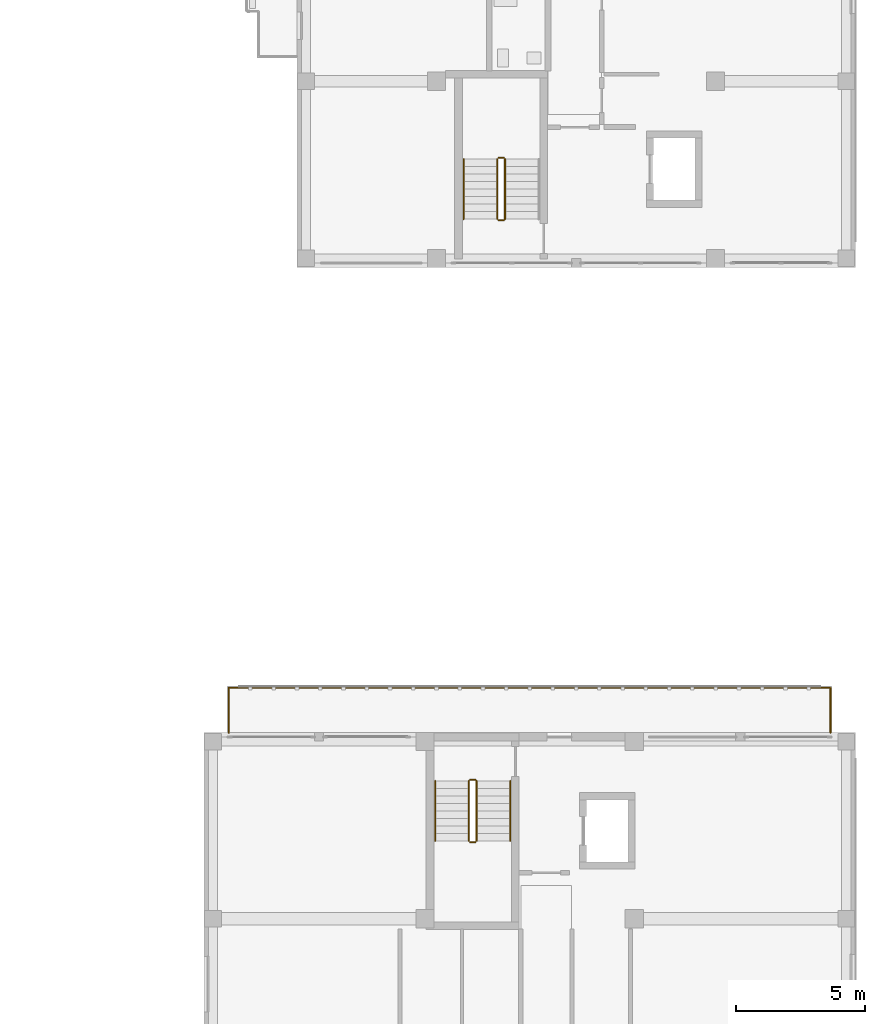
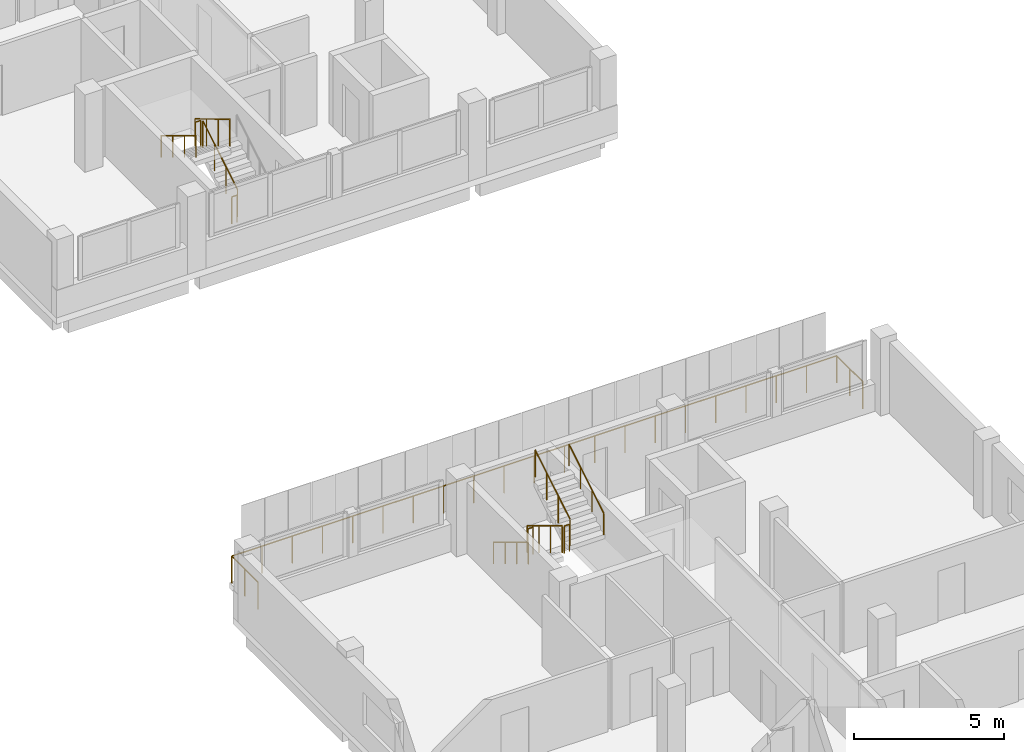
# One storey, part 52 of 56: 12 railings.
"""IFC4 building model written with IfcOpenShell, lengths in metres."""

from ifc_helpers import new_model, si_unit, derived_unit, direction, frame, origin, origin_2d, place, context, subcontext, project, spatial, circle, extrude, material, type_object, element, save


model = new_model("IFC4")

# Units and contexts
model_context = context("Model", 3, precision=1e-05, world=origin(), true_north=direction((0.0, 1.0)))
body_context = subcontext(model_context, "Body", "Model", "MODEL_VIEW")
ifc_project = project(units=[si_unit("LENGTHUNIT", "METRE"), si_unit("AREAUNIT", "SQUARE_METRE"), si_unit("VOLUMEUNIT", "CUBIC_METRE"), si_unit("PLANEANGLEUNIT", "RADIAN"), si_unit("MASSUNIT", "GRAM", prefix="KILO"), derived_unit("THERMALTRANSMITTANCEUNIT", [(si_unit("MASSUNIT", "GRAM", prefix="KILO"), 1), (si_unit("TIMEUNIT", "SECOND"), -3), (si_unit("THERMODYNAMICTEMPERATUREUNIT", "KELVIN"), -1)])], contexts=[model_context])

# Site, building, storey
site_placement = place(None, origin())
site = spatial("IfcSite", under=ifc_project, at=site_placement, CompositionType="ELEMENT")
building_placement = place(site_placement, origin())
building = spatial("IfcBuilding", under=site, at=building_placement, Name="Ochrekiln Boulevard Commons", CompositionType="ELEMENT")
storey_placement = place(building_placement, frame((0.0, 0.0, 12.074951171875)))
storey = spatial("IfcBuildingStorey", under=building, at=storey_placement, Name="L03", CompositionType="ELEMENT", Elevation=12.074951171875)

# Railings
ifc_material_1 = material(Name="Bronze-anodized extruded aluminium 6063-T6", Category="aluminium")
railing_type_1 = type_object("IfcRailingType", Name="RLG-BAL-1120", PredefinedType="BALUSTRADE", material=ifc_material_1)
railing_1_placement = place(storey_placement, frame((148.56005859375, 50.39990234375, 0.0)))
element("IfcRailing", 1, at=railing_1_placement, inside=storey, type_object=railing_type_1, Name="Block C L03 Screened Balcony Guard", PredefinedType="BALUSTRADE", context=body_context, shape_type="SweptSolid", body=[
    extrude(circle(Radius=0.02392578125, at=origin_2d()), frame((0.0, 0.0, 1.09619140625), z_axis=(0.0, 1.0, 0.0), x_axis=(-1.0, 0.0, 0.0)), (0.0, 0.0, 1.0), 1.739990234375),
    extrude(circle(Radius=0.02392578125, at=origin_2d()), frame((0.0, 1.739990234375, 1.09619140625), z_axis=(1.0, 0.0, 0.0), x_axis=(0.0, 1.0, 0.0)), (0.0, 0.0, 1.0), 23.280029296875),
    extrude(circle(Radius=0.02392578125, at=origin_2d()), frame((23.280029296875, 1.739990234375, 1.09619140625), z_axis=(0.0, -1.0, 0.0), x_axis=(1.0, 0.0, 0.0)), (0.0, 0.0, 1.0), 1.739990234375),
    extrude(circle(Radius=0.02099609375, at=origin_2d()), origin(), (0.0, 0.0, 1.0), 1.072021484375),
    extrude(circle(Radius=0.02099609375, at=origin_2d()), frame((0.0, 0.8701171875, 0.0)), (0.0, 0.0, 1.0), 1.072021484375),
    extrude(circle(Radius=0.02099609375, at=origin_2d()), frame((0.0, 1.739990234375, 0.0)), (0.0, 0.0, 1.0), 1.072021484375),
    extrude(circle(Radius=0.02099609375, at=origin_2d()), frame((1.1640625, 1.739990234375, 0.0)), (0.0, 0.0, 1.0), 1.072021484375),
    extrude(circle(Radius=0.02099609375, at=origin_2d()), frame((2.328125, 1.739990234375, 0.0)), (0.0, 0.0, 1.0), 1.072021484375),
    extrude(circle(Radius=0.02099609375, at=origin_2d()), frame((3.491943359375, 1.739990234375, 0.0)), (0.0, 0.0, 1.0), 1.072021484375),
    extrude(circle(Radius=0.02099609375, at=origin_2d()), frame((4.656005859375, 1.739990234375, 0.0)), (0.0, 0.0, 1.0), 1.072021484375),
    extrude(circle(Radius=0.02099609375, at=origin_2d()), frame((5.820068359375, 1.739990234375, 0.0)), (0.0, 0.0, 1.0), 1.072021484375),
    extrude(circle(Radius=0.02099609375, at=origin_2d()), frame((6.98388671875, 1.739990234375, 0.0)), (0.0, 0.0, 1.0), 1.072021484375),
    extrude(circle(Radius=0.02099609375, at=origin_2d()), frame((8.14794921875, 1.739990234375, 0.0)), (0.0, 0.0, 1.0), 1.072021484375),
    extrude(circle(Radius=0.02099609375, at=origin_2d()), frame((9.31201171875, 1.739990234375, 0.0)), (0.0, 0.0, 1.0), 1.072021484375),
    extrude(circle(Radius=0.02099609375, at=origin_2d()), frame((10.47607421875, 1.739990234375, 0.0)), (0.0, 0.0, 1.0), 1.072021484375),
    extrude(circle(Radius=0.02099609375, at=origin_2d()), frame((11.64013671875, 1.739990234375, 0.0)), (0.0, 0.0, 1.0), 1.072021484375),
    extrude(circle(Radius=0.02099609375, at=origin_2d()), frame((12.803955078125, 1.739990234375, 0.0)), (0.0, 0.0, 1.0), 1.072021484375),
    extrude(circle(Radius=0.02099609375, at=origin_2d()), frame((13.968017578125, 1.739990234375, 0.0)), (0.0, 0.0, 1.0), 1.072021484375),
    extrude(circle(Radius=0.02099609375, at=origin_2d()), frame((15.132080078125, 1.739990234375, 0.0)), (0.0, 0.0, 1.0), 1.072021484375),
    extrude(circle(Radius=0.02099609375, at=origin_2d()), frame((16.2958984375, 1.739990234375, 0.0)), (0.0, 0.0, 1.0), 1.072021484375),
    extrude(circle(Radius=0.02099609375, at=origin_2d()), frame((17.4599609375, 1.739990234375, 0.0)), (0.0, 0.0, 1.0), 1.072021484375),
    extrude(circle(Radius=0.02099609375, at=origin_2d()), frame((18.6240234375, 1.739990234375, 0.0)), (0.0, 0.0, 1.0), 1.072021484375),
    extrude(circle(Radius=0.02099609375, at=origin_2d()), frame((19.7880859375, 1.739990234375, 0.0)), (0.0, 0.0, 1.0), 1.072021484375),
    extrude(circle(Radius=0.02099609375, at=origin_2d()), frame((20.9521484375, 1.739990234375, 0.0)), (0.0, 0.0, 1.0), 1.072021484375),
    extrude(circle(Radius=0.02099609375, at=origin_2d()), frame((22.115966796875, 1.739990234375, 0.0)), (0.0, 0.0, 1.0), 1.072021484375),
    extrude(circle(Radius=0.02099609375, at=origin_2d()), frame((23.280029296875, 1.739990234375, 0.0)), (0.0, 0.0, 1.0), 1.072021484375),
    extrude(circle(Radius=0.02099609375, at=origin_2d()), frame((23.280029296875, 0.8701171875, 0.0)), (0.0, 0.0, 1.0), 1.072021484375),
    extrude(circle(Radius=0.02099609375, at=origin_2d()), frame((23.280029296875, 0.0, 0.0)), (0.0, 0.0, 1.0), 1.072021484375),
])
ifc_material_2 = material(Name="Brushed stainless steel 316 tubular railing", Category="steel")
railing_type_2 = type_object("IfcRailingType", Name="RLG-HDR-900", PredefinedType="HANDRAIL", material=ifc_material_2)
railing_2_placement = place(storey_placement, frame((157.64990234375, 72.590087890625, 1.75)))
element("IfcRailing", 2, at=railing_2_placement, inside=storey, type_object=railing_type_2, Name="L03 ST-B1 stair handrail 2", PredefinedType="HANDRAIL", context=body_context, shape_type="SweptSolid", body=[
    extrude(circle(Radius=0.02392578125, at=origin_2d()), frame((0.0, 0.0, 0.8759765625), z_axis=(0.0, -0.856170481923, 0.516693435108), x_axis=(1.0, 0.0, 0.0)), (0.0, 0.0, 1.0), 2.709716796875),
    extrude(circle(Radius=0.02099609375, at=origin_2d()), origin(), (0.0, 0.0, 1.0), 0.851806640625),
    extrude(circle(Radius=0.02099609375, at=origin_2d()), frame((0.0, -0.7734375, 0.466796875)), (0.0, 0.0, 1.0), 0.851806640625),
    extrude(circle(Radius=0.02099609375, at=origin_2d()), frame((0.0, -1.546630859375, 0.933349609375)), (0.0, 0.0, 1.0), 0.851806640625),
    extrude(circle(Radius=0.02099609375, at=origin_2d()), frame((0.0, -2.320068359375, 1.400146484375)), (0.0, 0.0, 1.0), 0.851806640625),
])
railing_3_placement = place(storey_placement, frame((156.550048828125, 48.530029296875, 0.175048828125)))
element("IfcRailing", 3, at=railing_3_placement, inside=storey, type_object=railing_type_2, Name="L03 ST-C2 stair handrail 1", PredefinedType="HANDRAIL", context=body_context, shape_type="SweptSolid", body=[
    extrude(circle(Radius=0.02392578125, at=origin_2d()), frame((0.0, 0.0, 0.8759765625), z_axis=(0.0, -0.85621033714, 0.516627388526), x_axis=(1.0, 0.0, 0.0)), (0.0, 0.0, 1.0), 2.709716796875),
    extrude(circle(Radius=0.02099609375, at=origin_2d()), origin(), (0.0, 0.0, 1.0), 0.851806640625),
    extrude(circle(Radius=0.02099609375, at=origin_2d()), frame((0.0, -0.7734375, 0.466552734375)), (0.0, 0.0, 1.0), 0.851806640625),
    extrude(circle(Radius=0.02099609375, at=origin_2d()), frame((0.0, -1.546630859375, 0.933349609375)), (0.0, 0.0, 1.0), 0.851806640625),
    extrude(circle(Radius=0.02099609375, at=origin_2d()), frame((0.0, -2.320068359375, 1.39990234375)), (0.0, 0.0, 1.0), 0.851806640625),
])
railing_4_placement = place(storey_placement, frame((159.449951171875, 46.2099609375, 1.75)))
element("IfcRailing", 4, at=railing_4_placement, inside=storey, type_object=railing_type_2, Name="L03 ST-C2 stair handrail 2", PredefinedType="HANDRAIL", context=body_context, shape_type="SweptSolid", body=[
    extrude(circle(Radius=0.02392578125, at=origin_2d()), frame((0.0, 0.0, 0.8759765625), z_axis=(0.0, 0.856170481923, 0.516693435108), x_axis=(-1.0, 0.0, 0.0)), (0.0, 0.0, 1.0), 2.709716796875),
    extrude(circle(Radius=0.02099609375, at=origin_2d()), origin(), (0.0, 0.0, 1.0), 0.851806640625),
    extrude(circle(Radius=0.02099609375, at=origin_2d()), frame((0.0, 0.7734375, 0.466796875)), (0.0, 0.0, 1.0), 0.851806640625),
    extrude(circle(Radius=0.02099609375, at=origin_2d()), frame((0.0, 1.546630859375, 0.933349609375)), (0.0, 0.0, 1.0), 0.851806640625),
    extrude(circle(Radius=0.02099609375, at=origin_2d()), frame((0.0, 2.320068359375, 1.400146484375)), (0.0, 0.0, 1.0), 0.851806640625),
])
railing_type_3 = type_object("IfcRailingType", Name="RLG-STR-1120", PredefinedType="BALUSTRADE", material=ifc_material_2)
railing_5_placement = place(storey_placement, frame((159.25, 70.27001953125, 0.175048828125)))
element("IfcRailing", 5, at=railing_5_placement, inside=storey, type_object=railing_type_3, Name="L03 ST-B1 stair guard 1", PredefinedType="BALUSTRADE", context=body_context, shape_type="SweptSolid", body=[
    extrude(circle(Radius=0.02392578125, at=origin_2d()), frame((0.0, 0.0, 1.09619140625), z_axis=(0.0, 0.85621033714, 0.516627388526), x_axis=(-1.0, 0.0, 0.0)), (0.0, 0.0, 1.0), 2.709716796875),
    extrude(circle(Radius=0.02099609375, at=origin_2d()), origin(), (0.0, 0.0, 1.0), 1.072021484375),
    extrude(circle(Radius=0.02099609375, at=origin_2d()), frame((0.0, 0.7734375, 0.466552734375)), (0.0, 0.0, 1.0), 1.072021484375),
    extrude(circle(Radius=0.02099609375, at=origin_2d()), frame((0.0, 1.546630859375, 0.933349609375)), (0.0, 0.0, 1.0), 1.072021484375),
    extrude(circle(Radius=0.02099609375, at=origin_2d()), frame((0.0, 2.320068359375, 1.39990234375)), (0.0, 0.0, 1.0), 1.072021484375),
])
railing_6_placement = place(storey_placement, frame((159.199951171875, 72.639892578125, 1.574951171875)))
element("IfcRailing", 6, at=railing_6_placement, inside=storey, type_object=railing_type_3, Name="L03 ST-B1 stair guard 2", PredefinedType="BALUSTRADE", context=body_context, shape_type="SweptSolid", body=[
    extrude(circle(Radius=0.02392578125, at=origin_2d()), frame((0.0, 0.0, 1.09619140625), z_axis=(-1.0, 0.0, 0.0), x_axis=(0.0, -1.0, 0.0)), (0.0, 0.0, 1.0), 0.199951171875),
    extrude(circle(Radius=0.02099609375, at=origin_2d()), origin(), (0.0, 0.0, 1.0), 1.072021484375),
    extrude(circle(Radius=0.02099609375, at=origin_2d()), frame((-0.199951171875, 0.0, 0.0)), (0.0, 0.0, 1.0), 1.072021484375),
])
railing_7_placement = place(storey_placement, frame((158.949951171875, 72.590087890625, 1.75)))
element("IfcRailing", 7, at=railing_7_placement, inside=storey, type_object=railing_type_3, Name="L03 ST-B1 stair guard 3", PredefinedType="BALUSTRADE", context=body_context, shape_type="SweptSolid", body=[
    extrude(circle(Radius=0.02392578125, at=origin_2d()), frame((0.0, 0.0, 1.09619140625), z_axis=(0.0, -0.856170481923, 0.516693435108), x_axis=(1.0, 0.0, 0.0)), (0.0, 0.0, 1.0), 2.709716796875),
    extrude(circle(Radius=0.02099609375, at=origin_2d()), origin(), (0.0, 0.0, 1.0), 1.072021484375),
    extrude(circle(Radius=0.02099609375, at=origin_2d()), frame((0.0, -0.7734375, 0.466796875)), (0.0, 0.0, 1.0), 1.072021484375),
    extrude(circle(Radius=0.02099609375, at=origin_2d()), frame((0.0, -1.546630859375, 0.933349609375)), (0.0, 0.0, 1.0), 1.072021484375),
    extrude(circle(Radius=0.02099609375, at=origin_2d()), frame((0.0, -2.320068359375, 1.400146484375)), (0.0, 0.0, 1.0), 1.072021484375),
])
railing_8_placement = place(storey_placement, frame((159.199951171875, 70.219970703125, 0.0)))
element("IfcRailing", 8, at=railing_8_placement, inside=storey, type_object=railing_type_3, Name="L03 ST-B1 stair guard 4", PredefinedType="BALUSTRADE", context=body_context, shape_type="SweptSolid", body=[
    extrude(circle(Radius=0.02392578125, at=origin_2d()), frame((0.0, 0.0, 1.09619140625), z_axis=(-1.0, 0.0, 0.0), x_axis=(0.0, -1.0, 0.0)), (0.0, 0.0, 1.0), 0.199951171875),
    extrude(circle(Radius=0.02099609375, at=origin_2d()), origin(), (0.0, 0.0, 1.0), 1.072021484375),
    extrude(circle(Radius=0.02099609375, at=origin_2d()), frame((-0.199951171875, 0.0, 0.0)), (0.0, 0.0, 1.0), 1.072021484375),
])
railing_9_placement = place(storey_placement, frame((157.85009765625, 48.530029296875, 0.175048828125)))
element("IfcRailing", 9, at=railing_9_placement, inside=storey, type_object=railing_type_3, Name="L03 ST-C2 stair guard 1", PredefinedType="BALUSTRADE", context=body_context, shape_type="SweptSolid", body=[
    extrude(circle(Radius=0.02392578125, at=origin_2d()), frame((0.0, 0.0, 1.09619140625), z_axis=(0.0, -0.85621033714, 0.516627388526), x_axis=(1.0, 0.0, 0.0)), (0.0, 0.0, 1.0), 2.709716796875),
    extrude(circle(Radius=0.02099609375, at=origin_2d()), origin(), (0.0, 0.0, 1.0), 1.072021484375),
    extrude(circle(Radius=0.02099609375, at=origin_2d()), frame((0.0, -0.7734375, 0.466552734375)), (0.0, 0.0, 1.0), 1.072021484375),
    extrude(circle(Radius=0.02099609375, at=origin_2d()), frame((0.0, -1.546630859375, 0.933349609375)), (0.0, 0.0, 1.0), 1.072021484375),
    extrude(circle(Radius=0.02099609375, at=origin_2d()), frame((0.0, -2.320068359375, 1.39990234375)), (0.0, 0.0, 1.0), 1.072021484375),
])
railing_10_placement = place(storey_placement, frame((157.89990234375, 46.159912109375, 1.574951171875)))
element("IfcRailing", 10, at=railing_10_placement, inside=storey, type_object=railing_type_3, Name="L03 ST-C2 stair guard 2", PredefinedType="BALUSTRADE", context=body_context, shape_type="SweptSolid", body=[
    extrude(circle(Radius=0.02392578125, at=origin_2d()), frame((0.0, 0.0, 1.09619140625), z_axis=(1.0, 0.0, 0.0), x_axis=(0.0, 1.0, 0.0)), (0.0, 0.0, 1.0), 0.2001953125),
    extrude(circle(Radius=0.02099609375, at=origin_2d()), origin(), (0.0, 0.0, 1.0), 1.072021484375),
    extrude(circle(Radius=0.02099609375, at=origin_2d()), frame((0.2001953125, 0.0, 0.0)), (0.0, 0.0, 1.0), 1.072021484375),
])
railing_11_placement = place(storey_placement, frame((158.14990234375, 46.2099609375, 1.75)))
element("IfcRailing", 11, at=railing_11_placement, inside=storey, type_object=railing_type_3, Name="L03 ST-C2 stair guard 3", PredefinedType="BALUSTRADE", context=body_context, shape_type="SweptSolid", body=[
    extrude(circle(Radius=0.02392578125, at=origin_2d()), frame((0.0, 0.0, 1.09619140625), z_axis=(0.0, 0.856170481923, 0.516693435108), x_axis=(-1.0, 0.0, 0.0)), (0.0, 0.0, 1.0), 2.709716796875),
    extrude(circle(Radius=0.02099609375, at=origin_2d()), origin(), (0.0, 0.0, 1.0), 1.072021484375),
    extrude(circle(Radius=0.02099609375, at=origin_2d()), frame((0.0, 0.7734375, 0.466796875)), (0.0, 0.0, 1.0), 1.072021484375),
    extrude(circle(Radius=0.02099609375, at=origin_2d()), frame((0.0, 1.546630859375, 0.933349609375)), (0.0, 0.0, 1.0), 1.072021484375),
    extrude(circle(Radius=0.02099609375, at=origin_2d()), frame((0.0, 2.320068359375, 1.400146484375)), (0.0, 0.0, 1.0), 1.072021484375),
])
railing_12_placement = place(storey_placement, frame((157.89990234375, 48.580078125, 0.0)))
element("IfcRailing", 12, at=railing_12_placement, inside=storey, type_object=railing_type_3, Name="L03 ST-C2 stair guard 4", PredefinedType="BALUSTRADE", context=body_context, shape_type="SweptSolid", body=[
    extrude(circle(Radius=0.02392578125, at=origin_2d()), frame((0.0, 0.0, 1.09619140625), z_axis=(1.0, 0.0, 0.0), x_axis=(0.0, 1.0, 0.0)), (0.0, 0.0, 1.0), 0.2001953125),
    extrude(circle(Radius=0.02099609375, at=origin_2d()), origin(), (0.0, 0.0, 1.0), 1.072021484375),
    extrude(circle(Radius=0.02099609375, at=origin_2d()), frame((0.2001953125, 0.0, 0.0)), (0.0, 0.0, 1.0), 1.072021484375),
])

save(model, "model.ifc")
